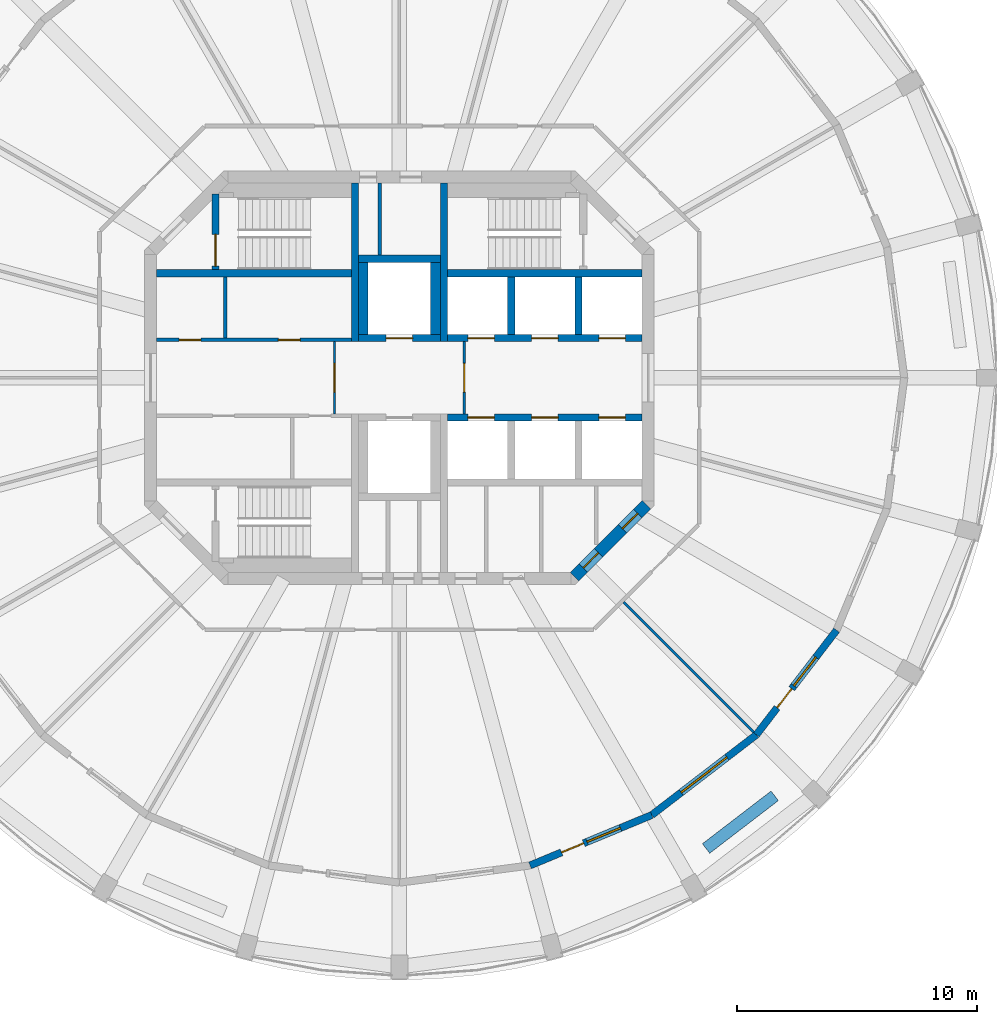
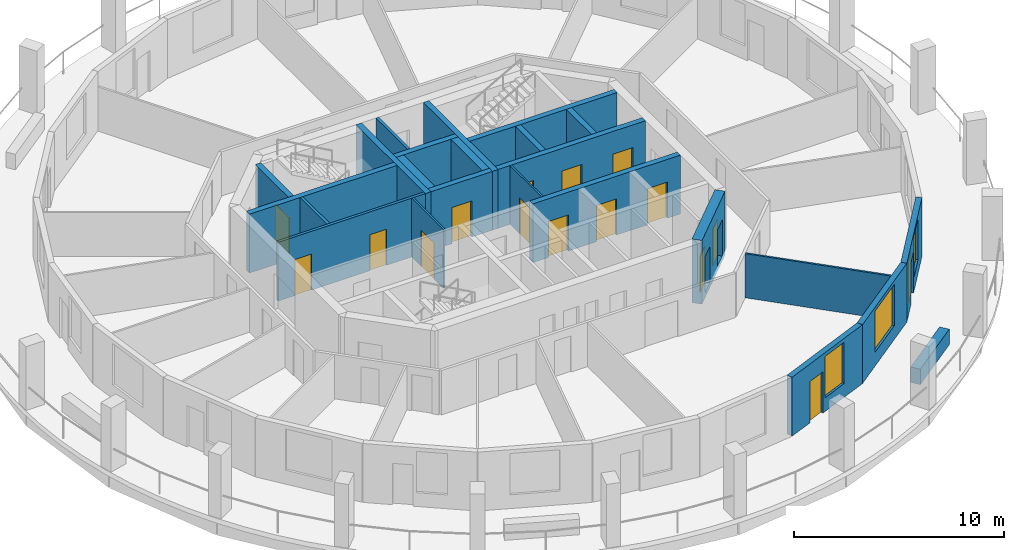
# One storey, part 4 of 9: 24 walls, 16 doors, 3 windows, 19 openings.
"""IFC4 building model written with IfcOpenShell, lengths in metres."""

from ifc_helpers import new_model, si_unit, direction, frame, frame_2d, origin, place, context, subcontext, project, spatial, rectangle, extrude, material, layer, layer_set, type_object, element, fill, save


model = new_model("IFC4")

# Units and contexts
model_context = context("Model", 3, precision=1e-05, world=origin(), true_north=direction((0.0, 1.0)))
body_context = subcontext(model_context, "Body", "Model", "MODEL_VIEW")
ifc_project = project(units=[si_unit("LENGTHUNIT", "METRE"), si_unit("AREAUNIT", "SQUARE_METRE"), si_unit("VOLUMEUNIT", "CUBIC_METRE"), si_unit("PLANEANGLEUNIT", "RADIAN"), si_unit("MASSUNIT", "GRAM", prefix="KILO")], contexts=[model_context])

# Site, building, storey
site_placement = place(None, origin())
site = spatial("IfcSite", under=ifc_project, at=site_placement, CompositionType="ELEMENT")
building_placement = place(site_placement, origin())
building = spatial("IfcBuilding", under=site, at=building_placement, Name="Torre Triforio", CompositionType="ELEMENT")
storey_placement = place(building_placement, frame((0.0, 0.0, 268.60009765625)))
storey = spatial("IfcBuildingStorey", under=building, at=storey_placement, Name="L62", CompositionType="ELEMENT", Elevation=268.60009765625)

# Walls
ifc_material_1 = material(Name="Concrete C40", Category="concrete")
ifc_layer_1 = layer(ifc_material_1, 0.300048828125)
ifc_layer_set_1 = layer_set([ifc_layer_1], Name="Concrete C40")
wall_type_1 = type_object("IfcWallType", Name="Core wall 300 mm C40 EI 120", PredefinedType="SHEAR", material=ifc_layer_set_1)
for number, where, z_axis, x_axis, name in (
    (1, (-1.85009765625, 1.5, 0.0), (0.0, 0.0, 1.0), (0.0, 1.0, 0.0), "Core wall"),
    (2, (1.85009765625, 1.5, 0.0), (0.0, 0.0, 1.0), (0.0, 1.0, 0.0), "Core wall"),
):
    element("IfcWall", number, at=place(storey_placement, frame(where, z_axis=z_axis, x_axis=x_axis)), inside=storey, type_object=wall_type_1, Name=name, PredefinedType="SHEAR", context=body_context, shape_type="SweptSolid", body=[
        extrude(rectangle(XDim=6.60009765625, YDim=0.300048828125, at=frame_2d((3.300048828125, 0.0))), origin(), (0.0, 0.0, 1.0), 3.419921875),
    ])

# Wall, openings, doors
ifc_layer_2 = layer(ifc_material_1, 0.5)
ifc_layer_set_2 = layer_set([ifc_layer_2], Name="Concrete C40")
wall_type_2 = type_object("IfcWallType", Name="Core wall 500 mm C40 EI 120", PredefinedType="SHEAR", material=ifc_layer_set_2)
wall_1_placement = place(storey_placement, frame((10.27685546875, -5.27685546875, -0.280029296875), z_axis=(0.0, 0.0, 1.0), x_axis=(-0.707106781187, -0.707106781187, 0.0)))
wall_1 = element("IfcWall", 3, at=wall_1_placement, inside=storey, type_object=wall_type_2, Name="Core wall", PredefinedType="SHEAR", context=body_context, shape_type="SweptSolid", body=[
    extrude(rectangle(XDim=4.24267578125, YDim=0.5, at=frame_2d((2.121337890625, 0.0))), origin(), (0.0, 0.0, 1.0), 3.699951171875),
])
opening_1_placement = place(wall_1_placement, frame((2.82275390625, 0.0, 0.280029296875)))
opening_1 = element("IfcOpeningElement", 4, at=opening_1_placement, cuts=wall_1, Name="Opening SE-03", PredefinedType="OPENING", context=body_context, shape_type="SweptSolid", body=[
    extrude(rectangle(XDim=0.89990234375, YDim=2.10009765625, at=frame_2d((0.449951171875, 1.050048828125))), frame((0.0, 0.260009765625, 0.0), z_axis=(0.0, -1.0, 0.0), x_axis=(1.0, 0.0, 0.0)), (0.0, 0.0, 1.0), 0.52001953125),
])
opening_2_placement = place(wall_1_placement, frame((0.52001953125, 0.0, 0.280029296875)))
opening_2 = element("IfcOpeningElement", 5, at=opening_2_placement, cuts=wall_1, Name="Opening SE-04", PredefinedType="OPENING", context=body_context, shape_type="SweptSolid", body=[
    extrude(rectangle(XDim=0.89990234375, YDim=2.10009765625, at=frame_2d((0.449951171875, 1.050048828125))), frame((0.0, 0.260009765625, 0.0), z_axis=(0.0, -1.0, 0.0), x_axis=(1.0, 0.0, 0.0)), (0.0, 0.0, 1.0), 0.52001953125),
])
ifc_material_2 = material(Name="Hollow metal fire door leaf")
door_type_1 = type_object("IfcDoorType", Name="Room door 900 x 2100 EI 60", OperationType="NOTDEFINED", PredefinedType="DOOR", material=ifc_material_2)
door_1_placement = place(opening_1_placement, origin())
door_1 = element("IfcDoor", 6, at=door_1_placement, inside=storey, type_object=door_type_1, Name="Core door SE-03", OperationType="SINGLE_SWING_RIGHT", OverallHeight=2.10009765625, OverallWidth=0.89990234375, PredefinedType="DOOR", context=body_context, shape_type="SweptSolid", body=[
    extrude(rectangle(XDim=0.89990234375, YDim=2.10009765625, at=frame_2d((0.449951171875, 1.050048828125))), frame((0.0, 0.02490234375, 0.0), z_axis=(0.0, -1.0, 0.0), x_axis=(1.0, 0.0, 0.0)), (0.0, 0.0, 1.0), 0.050048828125),
])
fill(opening_1, door_1)
door_2_placement = place(opening_2_placement, origin())
door_2 = element("IfcDoor", 7, at=door_2_placement, inside=storey, type_object=door_type_1, Name="Core door SE-04", OperationType="SINGLE_SWING_LEFT", OverallHeight=2.10009765625, OverallWidth=0.89990234375, PredefinedType="DOOR", context=body_context, shape_type="SweptSolid", body=[
    extrude(rectangle(XDim=0.89990234375, YDim=2.10009765625, at=frame_2d((0.449951171875, 1.050048828125))), frame((0.0, 0.02490234375, 0.0), z_axis=(0.0, -1.0, 0.0), x_axis=(1.0, 0.0, 0.0)), (0.0, 0.0, 1.0), 0.050048828125),
])
fill(opening_2, door_2)

# Wall, opening, door
ifc_material_3 = material(Name="Block and board partition")
ifc_layer_3 = layer(ifc_material_3, 0.10009765625)
ifc_layer_set_3 = layer_set([ifc_layer_3], Name="Block and board partition")
wall_type_3 = type_object("IfcWallType", Name="Partition 100 mm EI 120", PredefinedType="PARTITIONING", material=ifc_layer_set_3)
wall_2_placement = place(storey_placement, frame((-2.699951171875, -1.5, 0.0), z_axis=(0.0, 0.0, 1.0), x_axis=(0.0, 1.0, 0.0)))
wall_2 = element("IfcWall", 8, at=wall_2_placement, inside=storey, type_object=wall_type_3, Name="Partition", PredefinedType="PARTITIONING", context=body_context, shape_type="SweptSolid", body=[
    extrude(rectangle(XDim=3.0, YDim=0.10009765625, at=frame_2d((1.5, 0.0))), origin(), (0.0, 0.0, 1.0), 3.419921875),
])
opening_3_placement = place(wall_2_placement, frame((0.89990234375, 0.0, 0.0)))
opening_3 = element("IfcOpeningElement", 9, at=opening_3_placement, cuts=wall_2, Name="Opening FF-W", PredefinedType="OPENING", context=body_context, shape_type="SweptSolid", body=[
    extrude(rectangle(XDim=1.199951171875, YDim=2.10009765625, at=frame_2d((0.60009765625, 1.050048828125))), frame((0.0, 0.06005859375, 0.0), z_axis=(0.0, -1.0, 0.0), x_axis=(1.0, 0.0, 0.0)), (0.0, 0.0, 1.0), 0.1201171875),
])
door_type_2 = type_object("IfcDoorType", Name="Fire-fighting lobby door 1200 x 2100 EI 60", OperationType="NOTDEFINED", PredefinedType="DOOR", material=ifc_material_2)
door_3_placement = place(opening_3_placement, origin())
door_3 = element("IfcDoor", 10, at=door_3_placement, inside=storey, type_object=door_type_2, Name="Core door FF-W", OperationType="SINGLE_SWING_RIGHT", OverallHeight=2.10009765625, OverallWidth=1.199951171875, PredefinedType="DOOR", context=body_context, shape_type="SweptSolid", body=[
    extrude(rectangle(XDim=1.199951171875, YDim=2.10009765625, at=frame_2d((0.60009765625, 1.050048828125))), frame((0.0, 0.02490234375, 0.0), z_axis=(0.0, -1.0, 0.0), x_axis=(1.0, 0.0, 0.0)), (0.0, 0.0, 1.0), 0.050048828125),
])
fill(opening_3, door_3)

wall_3_placement = place(storey_placement, frame((2.699951171875, -1.5, 0.0), z_axis=(0.0, 0.0, 1.0), x_axis=(0.0, 1.0, 0.0)))
wall_3 = element("IfcWall", 11, at=wall_3_placement, inside=storey, type_object=wall_type_3, Name="Partition", PredefinedType="PARTITIONING", context=body_context, shape_type="SweptSolid", body=[
    extrude(rectangle(XDim=3.0, YDim=0.10009765625, at=frame_2d((1.5, 0.0))), origin(), (0.0, 0.0, 1.0), 3.419921875),
])
opening_4_placement = place(wall_3_placement, frame((0.89990234375, 0.0, 0.0)))
opening_4 = element("IfcOpeningElement", 12, at=opening_4_placement, cuts=wall_3, Name="Opening FF-E", PredefinedType="OPENING", context=body_context, shape_type="SweptSolid", body=[
    extrude(rectangle(XDim=1.199951171875, YDim=2.10009765625, at=frame_2d((0.60009765625, 1.050048828125))), frame((0.0, 0.06005859375, 0.0), z_axis=(0.0, -1.0, 0.0), x_axis=(1.0, 0.0, 0.0)), (0.0, 0.0, 1.0), 0.1201171875),
])
door_4_placement = place(opening_4_placement, origin())
door_4 = element("IfcDoor", 13, at=door_4_placement, inside=storey, type_object=door_type_2, Name="Core door FF-E", OperationType="SINGLE_SWING_RIGHT", OverallHeight=2.10009765625, OverallWidth=1.199951171875, PredefinedType="DOOR", context=body_context, shape_type="SweptSolid", body=[
    extrude(rectangle(XDim=1.199951171875, YDim=2.10009765625, at=frame_2d((0.60009765625, 1.050048828125))), frame((0.0, 0.02490234375, 0.0), z_axis=(0.0, -1.0, 0.0), x_axis=(1.0, 0.0, 0.0)), (0.0, 0.0, 1.0), 0.050048828125),
])
fill(opening_4, door_4)

# Walls
ifc_material_4 = material(Name="Plasterboard on metal studs")
ifc_layer_4 = layer(ifc_material_4, 0.10009765625)
ifc_layer_set_4 = layer_set([ifc_layer_4], Name="Plasterboard on metal studs")
wall_type_4 = type_object("IfcWallType", Name="Partition 100 mm board on metal studs", PredefinedType="PARTITIONING", material=ifc_layer_set_4)
wall_4_placement = place(storey_placement, frame((9.33251953125, -9.33251953125, 0.0), z_axis=(0.0, 0.0, 1.0), x_axis=(0.707106781187, -0.707106781187, 0.0)))
element("IfcWall", 14, at=wall_4_placement, inside=storey, type_object=wall_type_4, Name="Partition 24", PredefinedType="PARTITIONING", context=body_context, shape_type="SweptSolid", body=[
    extrude(rectangle(XDim=7.638671875, YDim=0.10009765625, at=frame_2d((3.8193359375, 0.0))), origin(), (0.0, 0.0, 1.0), 2.56982421875),
])
ifc_layer_5 = layer(ifc_material_3, 0.14990234375)
ifc_layer_set_5 = layer_set([ifc_layer_5], Name="Block and board partition")
wall_type_5 = type_object("IfcWallType", Name="Partition 150 mm", PredefinedType="PARTITIONING", material=ifc_layer_set_5)
wall_5_placement = place(storey_placement, frame((-7.242431640625, 1.64990234375, 0.0), z_axis=(0.0, 0.0, 1.0), x_axis=(0.0, 1.0, 0.0)))
element("IfcWall", 15, at=wall_5_placement, inside=storey, type_object=wall_type_5, Name="Partition", PredefinedType="PARTITIONING", context=body_context, shape_type="SweptSolid", body=[
    extrude(rectangle(XDim=2.550048828125, YDim=0.14990234375, at=frame_2d((1.27490234375, 0.0))), origin(), (0.0, 0.0, 1.0), 3.419921875),
])
ifc_layer_6 = layer(ifc_material_3, 0.14990234375)
ifc_layer_set_6 = layer_set([ifc_layer_6], Name="Block and board partition")
wall_type_6 = type_object("IfcWallType", Name="Partition 150 mm EI 120", PredefinedType="PARTITIONING", material=ifc_layer_set_6)
wall_6_placement = place(storey_placement, frame((-0.824951171875, 5.10009765625, 0.0), z_axis=(0.0, 0.0, 1.0), x_axis=(0.0, 1.0, 0.0)))
element("IfcWall", 16, at=wall_6_placement, inside=storey, type_object=wall_type_6, Name="Partition", PredefinedType="PARTITIONING", context=body_context, shape_type="SweptSolid", body=[
    extrude(rectangle(XDim=3.0, YDim=0.14990234375, at=frame_2d((1.5, 0.0))), origin(), (0.0, 0.0, 1.0), 3.419921875),
])

# Wall, openings, doors
wall_7_placement = place(storey_placement, frame((-10.10009765625, 1.574951171875, 0.0), z_axis=(0.0, 0.0, 1.0), x_axis=(1.0, 0.0, 0.0)))
wall_7 = element("IfcWall", 17, at=wall_7_placement, inside=storey, type_object=wall_type_6, Name="Partition", PredefinedType="PARTITIONING", context=body_context, shape_type="SweptSolid", body=[
    extrude(rectangle(XDim=8.10009765625, YDim=0.14990234375, at=frame_2d((4.050048828125, 0.0))), origin(), (0.0, 0.0, 1.0), 3.419921875),
])
opening_5_placement = place(wall_7_placement, frame((0.941162109375, 0.0, 0.0)))
opening_5 = element("IfcOpeningElement", 18, at=opening_5_placement, cuts=wall_7, Name="Opening FN-01A", PredefinedType="OPENING", context=body_context, shape_type="SweptSolid", body=[
    extrude(rectangle(XDim=0.89990234375, YDim=2.10009765625, at=frame_2d((0.449951171875, 1.050048828125))), frame((0.0, 0.0849609375, 0.0), z_axis=(0.0, -1.0, 0.0), x_axis=(1.0, 0.0, 0.0)), (0.0, 0.0, 1.0), 0.169921875),
])
opening_6_placement = place(wall_7_placement, frame((5.066162109375, 0.0, 0.0)))
opening_6 = element("IfcOpeningElement", 19, at=opening_6_placement, cuts=wall_7, Name="Opening FN-02", PredefinedType="OPENING", context=body_context, shape_type="SweptSolid", body=[
    extrude(rectangle(XDim=0.89990234375, YDim=2.10009765625, at=frame_2d((0.449951171875, 1.050048828125))), frame((0.0, 0.0849609375, 0.0), z_axis=(0.0, -1.0, 0.0), x_axis=(1.0, 0.0, 0.0)), (0.0, 0.0, 1.0), 0.169921875),
])
door_type_3 = type_object("IfcDoorType", Name="Plant room door 900 x 2100 EI 60", OperationType="NOTDEFINED", PredefinedType="DOOR", material=ifc_material_2)
door_5_placement = place(opening_5_placement, origin())
door_5 = element("IfcDoor", 20, at=door_5_placement, inside=storey, type_object=door_type_3, Name="Core door FN-01", OperationType="SINGLE_SWING_RIGHT", OverallHeight=2.10009765625, OverallWidth=0.89990234375, PredefinedType="DOOR", context=body_context, shape_type="SweptSolid", body=[
    extrude(rectangle(XDim=0.89990234375, YDim=2.10009765625, at=frame_2d((0.449951171875, 1.050048828125))), frame((0.0, 0.02490234375, 0.0), z_axis=(0.0, -1.0, 0.0), x_axis=(1.0, 0.0, 0.0)), (0.0, 0.0, 1.0), 0.050048828125),
])
fill(opening_5, door_5)
door_6_placement = place(opening_6_placement, origin())
door_6 = element("IfcDoor", 21, at=door_6_placement, inside=storey, type_object=door_type_1, Name="Core door FN-02", OperationType="SINGLE_SWING_RIGHT", OverallHeight=2.10009765625, OverallWidth=0.89990234375, PredefinedType="DOOR", context=body_context, shape_type="SweptSolid", body=[
    extrude(rectangle(XDim=0.89990234375, YDim=2.10009765625, at=frame_2d((0.449951171875, 1.050048828125))), frame((0.0, 0.02490234375, 0.0), z_axis=(0.0, -1.0, 0.0), x_axis=(1.0, 0.0, 0.0)), (0.0, 0.0, 1.0), 0.050048828125),
])
fill(opening_6, door_6)

# Walls
ifc_material_5 = material(Name="Limestone cladding", Category="masonry")
ifc_layer_7 = layer(ifc_material_5, 0.10009765625)
ifc_layer_8 = layer(ifc_material_1, 0.39990234375)
ifc_layer_set_7 = layer_set([ifc_layer_7, ifc_layer_8], Name="Limestone cladding / Concrete C40")
wall_type_7 = type_object("IfcWallType", Name="Planter wall 500", PredefinedType="PARAPET", material=ifc_layer_set_7)
wall_8_placement = place(storey_placement, frame((12.756103515625, -19.580810546875, 0.0), z_axis=(0.0, 0.0, 1.0), x_axis=(0.793384730612, 0.608720518162, 0.0)))
element("IfcWall", 22, at=wall_8_placement, inside=storey, type_object=wall_type_7, Name="Planter L62 bay 21", PredefinedType="PARAPET", context=body_context, shape_type="SweptSolid", body=[
    extrude(rectangle(XDim=3.60009765625, YDim=0.5, at=frame_2d((1.800048828125, 0.0))), origin(), (0.0, 0.0, 1.0), 0.89990234375),
])
ifc_layer_9 = layer(ifc_material_1, 0.300048828125)
ifc_layer_set_8 = layer_set([ifc_layer_9], Name="Concrete C40")
wall_type_8 = type_object("IfcWallType", Name="Shaft wall 300 mm C40 EI 120", PredefinedType="SOLIDWALL", material=ifc_layer_set_8)
for number, where, z_axis, x_axis, name in (
    (23, (-10.10009765625, 4.35009765625, 0.0), (0.0, 0.0, 1.0), (1.0, 0.0, 0.0), "Shaft wall"),
    (24, (2.0, 4.35009765625, 0.0), (0.0, 0.0, 1.0), (1.0, 0.0, 0.0), "Shaft wall"),
):
    element("IfcWall", number, at=place(storey_placement, frame(where, z_axis=z_axis, x_axis=x_axis)), inside=storey, type_object=wall_type_8, Name=name, PredefinedType="SOLIDWALL", context=body_context, shape_type="SweptSolid", body=[
        extrude(rectangle(XDim=8.10009765625, YDim=0.300048828125, at=frame_2d((4.050048828125, 0.0))), origin(), (0.0, 0.0, 1.0), 3.419921875),
    ])

# Wall, openings, doors
wall_9_placement = place(storey_placement, frame((2.0, 1.64990234375, 0.0), z_axis=(0.0, 0.0, 1.0), x_axis=(1.0, 0.0, 0.0)))
wall_9 = element("IfcWall", 25, at=wall_9_placement, inside=storey, type_object=wall_type_8, Name="Shaft wall", PredefinedType="SOLIDWALL", context=body_context, shape_type="SweptSolid", body=[
    extrude(rectangle(XDim=8.10009765625, YDim=0.300048828125, at=frame_2d((4.050048828125, 0.0))), origin(), (0.0, 0.0, 1.0), 3.419921875),
])
opening_7_placement = place(wall_9_placement, frame((0.85009765625, 0.0, 0.0)))
opening_7 = element("IfcOpeningElement", 26, at=opening_7_placement, cuts=wall_9, Name="Opening LD", PredefinedType="OPENING", context=body_context, shape_type="SweptSolid", body=[
    extrude(rectangle(XDim=1.10009765625, YDim=2.10009765625, at=frame_2d((0.550048828125, 1.050048828125))), frame((0.0, 0.159912109375, 0.0), z_axis=(0.0, -1.0, 0.0), x_axis=(1.0, 0.0, 0.0)), (0.0, 0.0, 1.0), 0.320068359375),
])
opening_8_placement = place(wall_9_placement, frame((3.5, 0.0, 0.0)))
opening_8 = element("IfcOpeningElement", 27, at=opening_8_placement, cuts=wall_9, Name="Opening LD", PredefinedType="OPENING", context=body_context, shape_type="SweptSolid", body=[
    extrude(rectangle(XDim=1.10009765625, YDim=2.10009765625, at=frame_2d((0.550048828125, 1.050048828125))), frame((0.0, 0.159912109375, 0.0), z_axis=(0.0, -1.0, 0.0), x_axis=(1.0, 0.0, 0.0)), (0.0, 0.0, 1.0), 0.320068359375),
])
opening_9_placement = place(wall_9_placement, frame((6.300048828125, 0.0, 0.0)))
opening_9 = element("IfcOpeningElement", 28, at=opening_9_placement, cuts=wall_9, Name="Opening LD", PredefinedType="OPENING", context=body_context, shape_type="SweptSolid", body=[
    extrude(rectangle(XDim=1.10009765625, YDim=2.10009765625, at=frame_2d((0.550048828125, 1.050048828125))), frame((0.0, 0.159912109375, 0.0), z_axis=(0.0, -1.0, 0.0), x_axis=(1.0, 0.0, 0.0)), (0.0, 0.0, 1.0), 0.320068359375),
])
door_type_4 = type_object("IfcDoorType", Name="Landing door 1100 x 2100 EI 60", OperationType="DOUBLE_DOOR_SLIDING", PredefinedType="DOOR", material=ifc_material_2)
door_7_placement = place(opening_7_placement, origin())
door_7 = element("IfcDoor", 29, at=door_7_placement, inside=storey, type_object=door_type_4, Name="Landing door HR1", OperationType="DOUBLE_DOOR_SLIDING", OverallHeight=2.10009765625, OverallWidth=1.10009765625, PredefinedType="DOOR", context=body_context, shape_type="SweptSolid", body=[
    extrude(rectangle(XDim=1.10009765625, YDim=2.10009765625, at=frame_2d((0.550048828125, 1.050048828125))), frame((0.0, 0.02490234375, 0.0), z_axis=(0.0, -1.0, 0.0), x_axis=(1.0, 0.0, 0.0)), (0.0, 0.0, 1.0), 0.050048828125),
])
fill(opening_7, door_7)
door_8_placement = place(opening_8_placement, origin())
door_8 = element("IfcDoor", 30, at=door_8_placement, inside=storey, type_object=door_type_4, Name="Landing door HR2", OperationType="DOUBLE_DOOR_SLIDING", OverallHeight=2.10009765625, OverallWidth=1.10009765625, PredefinedType="DOOR", context=body_context, shape_type="SweptSolid", body=[
    extrude(rectangle(XDim=1.10009765625, YDim=2.10009765625, at=frame_2d((0.550048828125, 1.050048828125))), frame((0.0, 0.02490234375, 0.0), z_axis=(0.0, -1.0, 0.0), x_axis=(1.0, 0.0, 0.0)), (0.0, 0.0, 1.0), 0.050048828125),
])
fill(opening_8, door_8)
door_9_placement = place(opening_9_placement, origin())
door_9 = element("IfcDoor", 31, at=door_9_placement, inside=storey, type_object=door_type_4, Name="Landing door HR3", OperationType="DOUBLE_DOOR_SLIDING", OverallHeight=2.10009765625, OverallWidth=1.10009765625, PredefinedType="DOOR", context=body_context, shape_type="SweptSolid", body=[
    extrude(rectangle(XDim=1.10009765625, YDim=2.10009765625, at=frame_2d((0.550048828125, 1.050048828125))), frame((0.0, 0.02490234375, 0.0), z_axis=(0.0, -1.0, 0.0), x_axis=(1.0, 0.0, 0.0)), (0.0, 0.0, 1.0), 0.050048828125),
])
fill(opening_9, door_9)

wall_10_placement = place(storey_placement, frame((2.0, -1.64990234375, 0.0), z_axis=(0.0, 0.0, 1.0), x_axis=(1.0, 0.0, 0.0)))
wall_10 = element("IfcWall", 32, at=wall_10_placement, inside=storey, type_object=wall_type_8, Name="Shaft wall", PredefinedType="SOLIDWALL", context=body_context, shape_type="SweptSolid", body=[
    extrude(rectangle(XDim=8.10009765625, YDim=0.300048828125, at=frame_2d((4.050048828125, 0.0))), origin(), (0.0, 0.0, 1.0), 3.419921875),
])
opening_10_placement = place(wall_10_placement, frame((0.85009765625, 0.0, 0.0)))
opening_10 = element("IfcOpeningElement", 33, at=opening_10_placement, cuts=wall_10, Name="Opening LD", PredefinedType="OPENING", context=body_context, shape_type="SweptSolid", body=[
    extrude(rectangle(XDim=1.10009765625, YDim=2.10009765625, at=frame_2d((0.550048828125, 1.050048828125))), frame((0.0, 0.159912109375, 0.0), z_axis=(0.0, -1.0, 0.0), x_axis=(1.0, 0.0, 0.0)), (0.0, 0.0, 1.0), 0.320068359375),
])
opening_11_placement = place(wall_10_placement, frame((3.5, 0.0, 0.0)))
opening_11 = element("IfcOpeningElement", 34, at=opening_11_placement, cuts=wall_10, Name="Opening LD", PredefinedType="OPENING", context=body_context, shape_type="SweptSolid", body=[
    extrude(rectangle(XDim=1.10009765625, YDim=2.10009765625, at=frame_2d((0.550048828125, 1.050048828125))), frame((0.0, 0.159912109375, 0.0), z_axis=(0.0, -1.0, 0.0), x_axis=(1.0, 0.0, 0.0)), (0.0, 0.0, 1.0), 0.320068359375),
])
opening_12_placement = place(wall_10_placement, frame((6.300048828125, 0.0, 0.0)))
opening_12 = element("IfcOpeningElement", 35, at=opening_12_placement, cuts=wall_10, Name="Opening LD", PredefinedType="OPENING", context=body_context, shape_type="SweptSolid", body=[
    extrude(rectangle(XDim=1.10009765625, YDim=2.10009765625, at=frame_2d((0.550048828125, 1.050048828125))), frame((0.0, 0.159912109375, 0.0), z_axis=(0.0, -1.0, 0.0), x_axis=(1.0, 0.0, 0.0)), (0.0, 0.0, 1.0), 0.320068359375),
])
door_10_placement = place(opening_10_placement, origin())
door_10 = element("IfcDoor", 36, at=door_10_placement, inside=storey, type_object=door_type_4, Name="Landing door HR4", OperationType="DOUBLE_DOOR_SLIDING", OverallHeight=2.10009765625, OverallWidth=1.10009765625, PredefinedType="DOOR", context=body_context, shape_type="SweptSolid", body=[
    extrude(rectangle(XDim=1.10009765625, YDim=2.10009765625, at=frame_2d((0.550048828125, 1.050048828125))), frame((0.0, 0.02490234375, 0.0), z_axis=(0.0, -1.0, 0.0), x_axis=(1.0, 0.0, 0.0)), (0.0, 0.0, 1.0), 0.050048828125),
])
fill(opening_10, door_10)
door_11_placement = place(opening_11_placement, origin())
door_11 = element("IfcDoor", 37, at=door_11_placement, inside=storey, type_object=door_type_4, Name="Landing door HR5", OperationType="DOUBLE_DOOR_SLIDING", OverallHeight=2.10009765625, OverallWidth=1.10009765625, PredefinedType="DOOR", context=body_context, shape_type="SweptSolid", body=[
    extrude(rectangle(XDim=1.10009765625, YDim=2.10009765625, at=frame_2d((0.550048828125, 1.050048828125))), frame((0.0, 0.02490234375, 0.0), z_axis=(0.0, -1.0, 0.0), x_axis=(1.0, 0.0, 0.0)), (0.0, 0.0, 1.0), 0.050048828125),
])
fill(opening_11, door_11)
door_12_placement = place(opening_12_placement, origin())
door_12 = element("IfcDoor", 38, at=door_12_placement, inside=storey, type_object=door_type_4, Name="Landing door HR6", OperationType="DOUBLE_DOOR_SLIDING", OverallHeight=2.10009765625, OverallWidth=1.10009765625, PredefinedType="DOOR", context=body_context, shape_type="SweptSolid", body=[
    extrude(rectangle(XDim=1.10009765625, YDim=2.10009765625, at=frame_2d((0.550048828125, 1.050048828125))), frame((0.0, 0.02490234375, 0.0), z_axis=(0.0, -1.0, 0.0), x_axis=(1.0, 0.0, 0.0)), (0.0, 0.0, 1.0), 0.050048828125),
])
fill(opening_12, door_12)

# Walls
for number, where, z_axis, x_axis, name in (
    (39, (4.64990234375, 1.800048828125, 0.0), (0.0, 0.0, 1.0), (0.0, 1.0, 0.0), "Shaft wall"),
    (40, (7.449951171875, 1.800048828125, 0.0), (0.0, 0.0, 1.0), (0.0, 1.0, 0.0), "Shaft wall"),
):
    element("IfcWall", number, at=place(storey_placement, frame(where, z_axis=z_axis, x_axis=x_axis)), inside=storey, type_object=wall_type_8, Name=name, PredefinedType="SOLIDWALL", context=body_context, shape_type="SweptSolid", body=[
        extrude(rectangle(XDim=2.39990234375, YDim=0.300048828125, at=frame_2d((1.199951171875, 0.0))), origin(), (0.0, 0.0, 1.0), 3.419921875),
    ])

# Wall, opening, door
wall_11_placement = place(storey_placement, frame((-1.699951171875, 1.64990234375, 0.0), z_axis=(0.0, 0.0, 1.0), x_axis=(1.0, 0.0, 0.0)))
wall_11 = element("IfcWall", 41, at=wall_11_placement, inside=storey, type_object=wall_type_8, Name="Shaft wall", PredefinedType="SOLIDWALL", context=body_context, shape_type="SweptSolid", body=[
    extrude(rectangle(XDim=3.39990234375, YDim=0.300048828125, at=frame_2d((1.699951171875, 0.0))), origin(), (0.0, 0.0, 1.0), 3.419921875),
])
opening_13_placement = place(wall_11_placement, frame((1.14990234375, 0.0, 0.0)))
opening_13 = element("IfcOpeningElement", 42, at=opening_13_placement, cuts=wall_11, Name="Opening LD", PredefinedType="OPENING", context=body_context, shape_type="SweptSolid", body=[
    extrude(rectangle(XDim=1.10009765625, YDim=2.10009765625, at=frame_2d((0.550048828125, 1.050048828125))), frame((0.0, 0.159912109375, 0.0), z_axis=(0.0, -1.0, 0.0), x_axis=(1.0, 0.0, 0.0)), (0.0, 0.0, 1.0), 0.320068359375),
])
door_13_placement = place(opening_13_placement, origin())
door_13 = element("IfcDoor", 43, at=door_13_placement, inside=storey, type_object=door_type_4, Name="Landing door FFL1", OperationType="DOUBLE_DOOR_SLIDING", OverallHeight=2.10009765625, OverallWidth=1.10009765625, PredefinedType="DOOR", context=body_context, shape_type="SweptSolid", body=[
    extrude(rectangle(XDim=1.10009765625, YDim=2.10009765625, at=frame_2d((0.550048828125, 1.050048828125))), frame((0.0, 0.02490234375, 0.0), z_axis=(0.0, -1.0, 0.0), x_axis=(1.0, 0.0, 0.0)), (0.0, 0.0, 1.0), 0.050048828125),
])
fill(opening_13, door_13)

# Walls
wall_12_placement = place(storey_placement, frame((-1.699951171875, 4.949951171875, 0.0), z_axis=(0.0, 0.0, 1.0), x_axis=(1.0, 0.0, 0.0)))
element("IfcWall", 44, at=wall_12_placement, inside=storey, type_object=wall_type_8, Name="Shaft wall", PredefinedType="SOLIDWALL", context=body_context, shape_type="SweptSolid", body=[
    extrude(rectangle(XDim=3.39990234375, YDim=0.300048828125, at=frame_2d((1.699951171875, 0.0))), origin(), (0.0, 0.0, 1.0), 3.419921875),
])
ifc_layer_10 = layer(ifc_material_1, 0.39990234375)
ifc_layer_set_9 = layer_set([ifc_layer_10], Name="Concrete C40")
wall_type_9 = type_object("IfcWallType", Name="Shaft wall 400 mm C40 EI 120", PredefinedType="SOLIDWALL", material=ifc_layer_set_9)
for number, where, z_axis, x_axis, name in (
    (45, (-1.5, 1.800048828125, 0.0), (0.0, 0.0, 1.0), (0.0, 1.0, 0.0), "Shaft wall"),
    (46, (1.5, 1.800048828125, 0.0), (0.0, 0.0, 1.0), (0.0, 1.0, 0.0), "Shaft wall"),
):
    element("IfcWall", number, at=place(storey_placement, frame(where, z_axis=z_axis, x_axis=x_axis)), inside=storey, type_object=wall_type_9, Name=name, PredefinedType="SOLIDWALL", context=body_context, shape_type="SweptSolid", body=[
        extrude(rectangle(XDim=3.0, YDim=0.39990234375, at=frame_2d((1.5, 0.0))), origin(), (0.0, 0.0, 1.0), 3.419921875),
    ])

# Wall, opening, door
ifc_layer_11 = layer(ifc_material_1, 0.300048828125)
ifc_layer_set_10 = layer_set([ifc_layer_11], Name="Concrete C40")
wall_type_10 = type_object("IfcWallType", Name="Stair wall 300 mm C40 EI 120", PredefinedType="SHEAR", material=ifc_layer_set_10)
wall_13_placement = place(storey_placement, frame((-7.64990234375, 4.5, 0.0), z_axis=(0.0, 0.0, 1.0), x_axis=(0.0, 1.0, 0.0)))
wall_13 = element("IfcWall", 47, at=wall_13_placement, inside=storey, type_object=wall_type_10, Name="Stair wall", PredefinedType="SHEAR", context=body_context, shape_type="SweptSolid", body=[
    extrude(rectangle(XDim=3.139892578125, YDim=0.300048828125, at=frame_2d((1.56982421875, 0.0))), origin(), (0.0, 0.0, 1.0), 3.419921875),
])
opening_14_placement = place(wall_13_placement, frame((0.139892578125, 0.0, 0.0)))
opening_14 = element("IfcOpeningElement", 48, at=opening_14_placement, cuts=wall_13, Name="Opening ST1-STA", PredefinedType="OPENING", context=body_context, shape_type="SweptSolid", body=[
    extrude(rectangle(XDim=1.320068359375, YDim=2.10009765625, at=frame_2d((0.66015625, 1.050048828125))), frame((0.0, 0.159912109375, 0.0), z_axis=(0.0, -1.0, 0.0), x_axis=(1.0, 0.0, 0.0)), (0.0, 0.0, 1.0), 0.320068359375),
])
door_type_5 = type_object("IfcDoorType", Name="Stair door 1320 x 2100 EI 90", OperationType="DOUBLE_DOOR_SINGLE_SWING", PredefinedType="DOOR", material=ifc_material_2)
door_14_placement = place(opening_14_placement, origin())
door_14 = element("IfcDoor", 49, at=door_14_placement, inside=storey, type_object=door_type_5, Name="Core door ST1-ST", OperationType="DOUBLE_DOOR_SINGLE_SWING", OverallHeight=2.10009765625, OverallWidth=1.320068359375, PredefinedType="DOOR", context=body_context, shape_type="SweptSolid", body=[
    extrude(rectangle(XDim=1.320068359375, YDim=2.10009765625, at=frame_2d((0.66015625, 1.050048828125))), frame((0.0, 0.02490234375, 0.0), z_axis=(0.0, -1.0, 0.0), x_axis=(1.0, 0.0, 0.0)), (0.0, 0.0, 1.0), 0.050048828125),
])
fill(opening_14, door_14)

# Wall, openings, door, window
ifc_layer_12 = layer(ifc_material_5, 0.10009765625)
ifc_layer_13 = layer(ifc_material_1, 0.199951171875)
ifc_layer_set_11 = layer_set([ifc_layer_12, ifc_layer_13], Name="Limestone cladding / Concrete C40")
wall_type_11 = type_object("IfcWallType", Name="Stone-faced composite wall 300", PredefinedType="STANDARD", material=ifc_layer_set_11)
wall_14_placement = place(storey_placement, frame((5.435302734375, -20.284423828125, 0.0), z_axis=(0.0, 0.0, 1.0), x_axis=(0.923877333662, 0.382688740813, 0.0)))
wall_14 = element("IfcWall", 50, at=wall_14_placement, inside=storey, type_object=wall_type_11, Name="External wall L62 bay 20", PredefinedType="STANDARD", context=body_context, shape_type="SweptSolid", body=[
    extrude(rectangle(XDim=5.48193359375, YDim=0.300048828125, at=frame_2d((2.740966796875, 0.0))), origin(), (0.0, 0.0, 1.0), 3.419921875),
])
opening_15_placement = place(wall_14_placement, frame((1.416015625, 0.0, 0.0)))
opening_15 = element("IfcOpeningElement", 51, at=opening_15_placement, cuts=wall_14, Name="Opening E2-D20", PredefinedType="OPENING", context=body_context, shape_type="SweptSolid", body=[
    extrude(rectangle(XDim=1.0, YDim=2.39990234375, at=frame_2d((0.5, 1.199951171875))), frame((0.0, 0.159912109375, 0.0), z_axis=(0.0, -1.0, 0.0), x_axis=(1.0, 0.0, 0.0)), (0.0, 0.0, 1.0), 0.320068359375),
])
opening_16_placement = place(wall_14_placement, frame((2.566162109375, 0.0, 0.800048828125)))
opening_16 = element("IfcOpeningElement", 52, at=opening_16_placement, cuts=wall_14, Name="Opening E2-W20A", PredefinedType="OPENING", context=body_context, shape_type="SweptSolid", body=[
    extrude(rectangle(XDim=1.5, YDim=2.39990234375, at=frame_2d((0.75, 1.199951171875))), frame((0.0, 0.159912109375, 0.0), z_axis=(0.0, -1.0, 0.0), x_axis=(1.0, 0.0, 0.0)), (0.0, 0.0, 1.0), 0.320068359375),
])
ifc_material_6 = material(Name="Aluminium frame with clear double glazing", Category="aluminium")
door_type_6 = type_object("IfcDoorType", Name="Loggia door 1000 x 2400", OperationType="NOTDEFINED", PredefinedType="DOOR", material=ifc_material_6)
door_15_placement = place(opening_15_placement, origin())
door_15 = element("IfcDoor", 53, at=door_15_placement, inside=storey, type_object=door_type_6, Name="Loggia door L62 bay 20", OperationType="SINGLE_SWING_LEFT", OverallHeight=2.39990234375, OverallWidth=1.0, PredefinedType="DOOR", context=body_context, shape_type="SweptSolid", body=[
    extrude(rectangle(XDim=1.0, YDim=2.39990234375, at=frame_2d((0.5, 1.199951171875))), frame((0.0, 0.02490234375, 0.0), z_axis=(0.0, -1.0, 0.0), x_axis=(1.0, 0.0, 0.0)), (0.0, 0.0, 1.0), 0.050048828125),
])
fill(opening_15, door_15)
window_type_1 = type_object("IfcWindowType", Name="Side window 1500 x 2400", PartitioningType="SINGLE_PANEL", PredefinedType="WINDOW", material=ifc_material_6)
window_1_placement = place(opening_16_placement, origin())
window_1 = element("IfcWindow", 54, at=window_1_placement, inside=storey, type_object=window_type_1, Name="Side window EWN14 L62 bay 20", OverallHeight=2.39990234375, OverallWidth=1.5, PartitioningType="SINGLE_PANEL", PredefinedType="WINDOW", context=body_context, shape_type="SweptSolid", body=[
    extrude(rectangle(XDim=1.5, YDim=2.39990234375, at=frame_2d((0.75, 1.199951171875))), frame((0.0, 0.030029296875, 0.0), z_axis=(0.0, -1.0, 0.0), x_axis=(1.0, 0.0, 0.0)), (0.0, 0.0, 1.0), 0.06005859375),
])
fill(opening_16, window_1)

# Wall, opening, window
wall_15_placement = place(storey_placement, frame((10.5, -18.1865234375, 0.0), z_axis=(0.0, 0.0, 1.0), x_axis=(0.793335336593, 0.608784891166, 0.0)))
wall_15 = element("IfcWall", 55, at=wall_15_placement, inside=storey, type_object=wall_type_11, Name="External wall L62 bay 21", PredefinedType="STANDARD", context=body_context, shape_type="SweptSolid", body=[
    extrude(rectangle(XDim=5.482177734375, YDim=0.300048828125, at=frame_2d((2.7412109375, 0.0))), origin(), (0.0, 0.0, 1.0), 3.419921875),
])
opening_17_placement = place(wall_15_placement, frame((1.541015625, 0.0, 0.800048828125)))
opening_17 = element("IfcOpeningElement", 56, at=opening_17_placement, cuts=wall_15, Name="Opening E2-W21", PredefinedType="OPENING", context=body_context, shape_type="SweptSolid", body=[
    extrude(rectangle(XDim=2.39990234375, YDim=2.39990234375, at=frame_2d((1.199951171875, 1.199951171875))), frame((0.0, 0.159912109375, 0.0), z_axis=(0.0, -1.0, 0.0), x_axis=(1.0, 0.0, 0.0)), (0.0, 0.0, 1.0), 0.320068359375),
])
window_type_2 = type_object("IfcWindowType", Name="Punched window 2400 x 2400", PartitioningType="DOUBLE_PANEL_VERTICAL", PredefinedType="WINDOW", material=ifc_material_6)
window_2_placement = place(opening_17_placement, origin())
window_2 = element("IfcWindow", 57, at=window_2_placement, inside=storey, type_object=window_type_2, Name="Window EWN4 L62 bay 21", OverallHeight=2.39990234375, OverallWidth=2.39990234375, PartitioningType="SINGLE_PANEL", PredefinedType="WINDOW", context=body_context, shape_type="SweptSolid", body=[
    extrude(rectangle(XDim=2.39990234375, YDim=2.39990234375, at=frame_2d((1.199951171875, 1.199951171875))), frame((0.0, 0.030029296875, 0.0), z_axis=(0.0, -1.0, 0.0), x_axis=(1.0, 0.0, 0.0)), (0.0, 0.0, 1.0), 0.06005859375),
])
fill(opening_17, window_2)

# Wall, openings, door, window
wall_16_placement = place(storey_placement, frame((14.84912109375, -14.84912109375, 0.0), z_axis=(0.0, 0.0, 1.0), x_axis=(0.608784891166, 0.793335336593, 0.0)))
wall_16 = element("IfcWall", 58, at=wall_16_placement, inside=storey, type_object=wall_type_11, Name="External wall L62 bay 22", PredefinedType="STANDARD", context=body_context, shape_type="SweptSolid", body=[
    extrude(rectangle(XDim=5.482177734375, YDim=0.300048828125, at=frame_2d((2.7412109375, 0.0))), origin(), (0.0, 0.0, 1.0), 3.419921875),
])
opening_18_placement = place(wall_16_placement, frame((1.416015625, 0.0, 0.0)))
opening_18 = element("IfcOpeningElement", 59, at=opening_18_placement, cuts=wall_16, Name="Opening E2-D22", PredefinedType="OPENING", context=body_context, shape_type="SweptSolid", body=[
    extrude(rectangle(XDim=1.0, YDim=2.39990234375, at=frame_2d((0.5, 1.199951171875))), frame((0.0, 0.159912109375, 0.0), z_axis=(0.0, -1.0, 0.0), x_axis=(1.0, 0.0, 0.0)), (0.0, 0.0, 1.0), 0.320068359375),
])
opening_19_placement = place(wall_16_placement, frame((2.56591796875, 0.0, 0.800048828125)))
opening_19 = element("IfcOpeningElement", 60, at=opening_19_placement, cuts=wall_16, Name="Opening E2-W22A", PredefinedType="OPENING", context=body_context, shape_type="SweptSolid", body=[
    extrude(rectangle(XDim=1.5, YDim=2.39990234375, at=frame_2d((0.75, 1.199951171875))), frame((0.0, 0.159912109375, 0.0), z_axis=(0.0, -1.0, 0.0), x_axis=(1.0, 0.0, 0.0)), (0.0, 0.0, 1.0), 0.320068359375),
])
door_16_placement = place(opening_18_placement, origin())
door_16 = element("IfcDoor", 61, at=door_16_placement, inside=storey, type_object=door_type_6, Name="Loggia door L62 bay 22", OperationType="SINGLE_SWING_LEFT", OverallHeight=2.39990234375, OverallWidth=1.0, PredefinedType="DOOR", context=body_context, shape_type="SweptSolid", body=[
    extrude(rectangle(XDim=1.0, YDim=2.39990234375, at=frame_2d((0.5, 1.199951171875))), frame((0.0, 0.02490234375, 0.0), z_axis=(0.0, -1.0, 0.0), x_axis=(1.0, 0.0, 0.0)), (0.0, 0.0, 1.0), 0.050048828125),
])
fill(opening_18, door_16)
window_3_placement = place(opening_19_placement, origin())
window_3 = element("IfcWindow", 62, at=window_3_placement, inside=storey, type_object=window_type_1, Name="Side window EWN14 L62 bay 22", OverallHeight=2.39990234375, OverallWidth=1.5, PartitioningType="SINGLE_PANEL", PredefinedType="WINDOW", context=body_context, shape_type="SweptSolid", body=[
    extrude(rectangle(XDim=1.5, YDim=2.39990234375, at=frame_2d((0.75, 1.199951171875))), frame((0.0, 0.030029296875, 0.0), z_axis=(0.0, -1.0, 0.0), x_axis=(1.0, 0.0, 0.0)), (0.0, 0.0, 1.0), 0.06005859375),
])
fill(opening_19, window_3)

save(model, "model.ifc")
